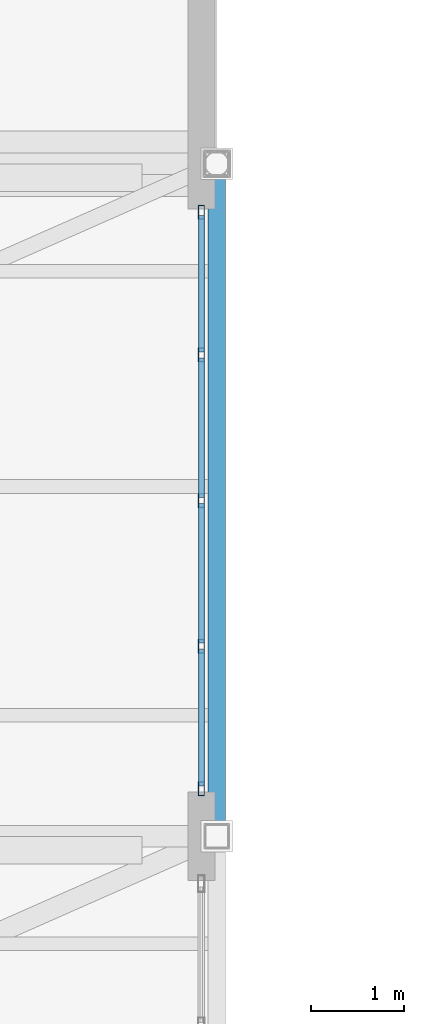
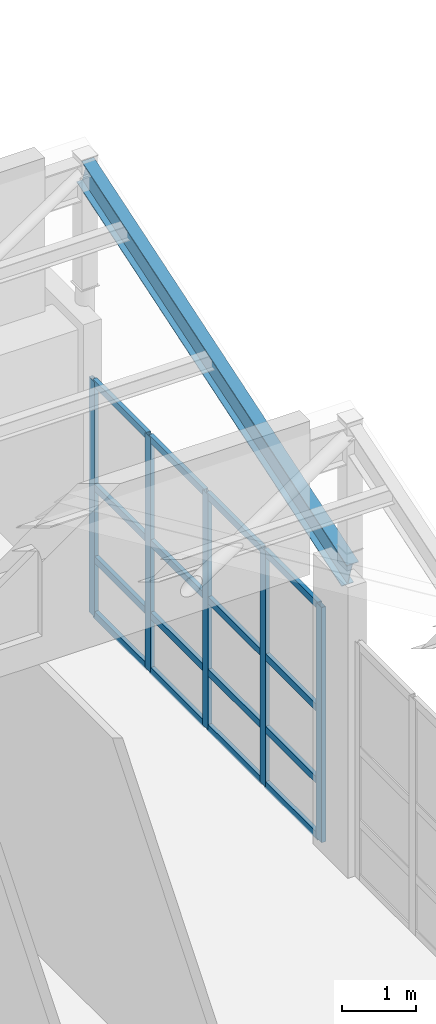
# One storey, part 19 of 34: 21 members, 1 beam, 1 element without a shape of its own.
"""IFC4 building model written with IfcOpenShell, lengths in metres."""

from ifc_helpers import new_model, si_unit, direction, frame, origin, origin_2d, place, context, subcontext, project, spatial, hollow_rectangle, i_section, extrude, material, layer, layer_set, material_profile, profile_set, type_object, element, aggregate, save


model = new_model("IFC4")

# Units and contexts
model_context = context("Model", 3, precision=1e-05, world=origin(), true_north=direction((0.0, 1.0)))
body_context = subcontext(model_context, "Body", "Model", "MODEL_VIEW")
ifc_project = project(units=[si_unit("LENGTHUNIT", "METRE"), si_unit("AREAUNIT", "SQUARE_METRE"), si_unit("VOLUMEUNIT", "CUBIC_METRE"), si_unit("PLANEANGLEUNIT", "RADIAN"), si_unit("MASSUNIT", "GRAM", prefix="KILO")], contexts=[model_context])

# Site, building, storey
site_placement = place(None, origin())
site = spatial("IfcSite", under=ifc_project, at=site_placement, CompositionType="ELEMENT")
building_placement = place(site_placement, origin())
building = spatial("IfcBuilding", under=site, at=building_placement, Name="Quendrovan Civic Courthouse", CompositionType="ELEMENT")
storey_placement = place(building_placement, frame((0.0, 0.0, 25.5)))
storey = spatial("IfcBuildingStorey", under=building, at=storey_placement, Name="L06", CompositionType="ELEMENT", Elevation=25.5)

# Beam
ifc_material_1 = material(Name="Steel ASTM A992 Grade 50", Category="steel")
ifc_material_profile_1 = material_profile(ifc_material_1, i_section(OverallWidth=0.18994140625, OverallDepth=0.45703125, WebThickness=0.009033203125, FlangeThickness=0.014404296875, at=origin_2d()), Name="W460x74")
ifc_profile_set_1 = profile_set([ifc_material_profile_1], Name="Steel ASTM A992 Grade 50")
beam_type = type_object("IfcBeamType", Name="BM-STL-W460", PredefinedType="BEAM", material=ifc_profile_set_1)
beam_placement = place(storey_placement, frame((16.800048828125, 80.39990234375, 4.651611328125), z_axis=(0.0, 0.95106155517, 0.309001485882), x_axis=(-1.0, 0.0, 0.0)))
element("IfcBeam", 1, at=beam_placement, inside=storey, type_object=beam_type, Name="Sawtooth Raking Steel Rafter B8-E", PredefinedType="BEAM", context=body_context, shape_type="SweptSolid", body=[
    extrude(i_section(OverallWidth=0.18994140625, OverallDepth=0.45703125, WebThickness=0.009033203125, FlangeThickness=0.014404296875, at=origin_2d()), origin(), (0.0, 0.0, 1.0), 7.57080078125),
])

# Curtain wall, members
ifc_material_2 = material(Name="Bronze anodised aluminium and low-E glass", Category="aluminium")
ifc_layer = layer(ifc_material_2, 0.179931640625, Name="Bronze anodised aluminium and low-E glass")
ifc_layer_set = layer_set([ifc_layer], Name="Bronze anodised aluminium and low-E glass")
curtain_wall_type = type_object("IfcCurtainWallType", Name="CW-U62x39", PredefinedType="USERDEFINED", material=ifc_layer_set)
curtain_wall_placement = place(storey_placement, origin())
curtain_wall = element("IfcCurtainWall", 2, at=curtain_wall_placement, inside=storey, type_object=curtain_wall_type, Name="L06 Unitised Hurricane Curtain Wall CW-207", ObjectType="UNITISED CURTAIN WALL", PredefinedType="USERDEFINED")
ifc_material_3 = material(Name="Bronze anodised aluminium", Category="aluminium")
ifc_material_profile_2 = material_profile(ifc_material_3, hollow_rectangle(XDim=0.06494140625, YDim=0.14990234375, WallThickness=0.00390625, at=origin_2d()), Name="CW-MULL-65x150")
ifc_profile_set_2 = profile_set([ifc_material_profile_2], Name="Bronze anodised aluminium")
member_type_1 = type_object("IfcMemberType", Name="CW-MULL-B", PredefinedType="MULLION", material=ifc_profile_set_2)
member_1_placement = place(storey_placement, frame((16.635009765625, 87.0810546875, 0.0), z_axis=(0.0, 0.0, 1.0), x_axis=(1.0, 0.0, 0.0)))
member_1 = element("IfcMember", 3, at=member_1_placement, type_object=member_type_1, Name="CW-207 mullion 1", PredefinedType="MULLION", context=body_context, shape_type="SweptSolid", body=[
    extrude(hollow_rectangle(XDim=0.06494140625, YDim=0.14990234375, WallThickness=0.00390625, at=origin_2d()), origin(), (0.0, 0.0, 1.0), 3.89990234375),
])
member_2_placement = place(storey_placement, frame((16.635009765625, 85.553955078125, 0.0), z_axis=(0.0, 0.0, 1.0), x_axis=(1.0, 0.0, 0.0)))
member_2 = element("IfcMember", 4, at=member_2_placement, type_object=member_type_1, Name="CW-207 mullion 2", PredefinedType="MULLION", context=body_context, shape_type="SweptSolid", body=[
    extrude(hollow_rectangle(XDim=0.06494140625, YDim=0.14990234375, WallThickness=0.00390625, at=origin_2d()), origin(), (0.0, 0.0, 1.0), 3.89990234375),
])
member_3_placement = place(storey_placement, frame((16.635009765625, 83.994140625, 0.0), z_axis=(0.0, 0.0, 1.0), x_axis=(1.0, 0.0, 0.0)))
member_3 = element("IfcMember", 5, at=member_3_placement, type_object=member_type_1, Name="CW-207 mullion 3", PredefinedType="MULLION", context=body_context, shape_type="SweptSolid", body=[
    extrude(hollow_rectangle(XDim=0.06494140625, YDim=0.14990234375, WallThickness=0.00390625, at=origin_2d()), origin(), (0.0, 0.0, 1.0), 3.89990234375),
])
member_4_placement = place(storey_placement, frame((16.635009765625, 82.4345703125, 0.0), z_axis=(0.0, 0.0, 1.0), x_axis=(1.0, 0.0, 0.0)))
member_4 = element("IfcMember", 6, at=member_4_placement, type_object=member_type_1, Name="CW-207 mullion 4", PredefinedType="MULLION", context=body_context, shape_type="SweptSolid", body=[
    extrude(hollow_rectangle(XDim=0.06494140625, YDim=0.14990234375, WallThickness=0.00390625, at=origin_2d()), origin(), (0.0, 0.0, 1.0), 3.89990234375),
])
member_5_placement = place(storey_placement, frame((16.635009765625, 80.907470703125, 0.0), z_axis=(0.0, 0.0, 1.0), x_axis=(1.0, 0.0, 0.0)))
member_5 = element("IfcMember", 7, at=member_5_placement, type_object=member_type_1, Name="CW-207 mullion 5", PredefinedType="MULLION", context=body_context, shape_type="SweptSolid", body=[
    extrude(hollow_rectangle(XDim=0.06494140625, YDim=0.14990234375, WallThickness=0.00390625, at=origin_2d()), origin(), (0.0, 0.0, 1.0), 3.89990234375),
])
ifc_material_profile_3 = material_profile(ifc_material_3, hollow_rectangle(XDim=0.06494140625, YDim=0.114990234375, WallThickness=0.00390625, at=origin_2d()), Name="CW-TRAN-65x115")
ifc_profile_set_3 = profile_set([ifc_material_profile_3], Name="Bronze anodised aluminium")
member_type_2 = type_object("IfcMemberType", Name="CW-TRAN-B", PredefinedType="USERDEFINED", material=ifc_profile_set_3)
member_6_placement = place(storey_placement, frame((16.635009765625, 87.048583984375, 0.032470703125), z_axis=(0.0, -1.0, 0.0), x_axis=(1.0, 0.0, 0.0)))
member_6 = element("IfcMember", 8, at=member_6_placement, type_object=member_type_2, Name="CW-207 transom 1.1", ObjectType="TRANSOM", PredefinedType="USERDEFINED", context=body_context, shape_type="SweptSolid", body=[
    extrude(hollow_rectangle(XDim=0.06494140625, YDim=0.114990234375, WallThickness=0.00390625, at=origin_2d()), origin(), (0.0, 0.0, 1.0), 1.462158203125),
])
member_7_placement = place(storey_placement, frame((16.635009765625, 87.048583984375, 0.949951171875), z_axis=(0.0, -1.0, 0.0), x_axis=(1.0, 0.0, 0.0)))
member_7 = element("IfcMember", 9, at=member_7_placement, type_object=member_type_2, Name="CW-207 transom 1.2", ObjectType="TRANSOM", PredefinedType="USERDEFINED", context=body_context, shape_type="SweptSolid", body=[
    extrude(hollow_rectangle(XDim=0.06494140625, YDim=0.114990234375, WallThickness=0.00390625, at=origin_2d()), origin(), (0.0, 0.0, 1.0), 1.462158203125),
])
member_8_placement = place(storey_placement, frame((16.635009765625, 87.048583984375, 2.14990234375), z_axis=(0.0, -1.0, 0.0), x_axis=(1.0, 0.0, 0.0)))
member_8 = element("IfcMember", 10, at=member_8_placement, type_object=member_type_2, Name="CW-207 transom 1.3", ObjectType="TRANSOM", PredefinedType="USERDEFINED", context=body_context, shape_type="SweptSolid", body=[
    extrude(hollow_rectangle(XDim=0.06494140625, YDim=0.114990234375, WallThickness=0.00390625, at=origin_2d()), origin(), (0.0, 0.0, 1.0), 1.462158203125),
])
member_9_placement = place(storey_placement, frame((16.635009765625, 87.048583984375, 3.867431640625), z_axis=(0.0, -1.0, 0.0), x_axis=(1.0, 0.0, 0.0)))
member_9 = element("IfcMember", 11, at=member_9_placement, type_object=member_type_2, Name="CW-207 transom 1.4", ObjectType="TRANSOM", PredefinedType="USERDEFINED", context=body_context, shape_type="SweptSolid", body=[
    extrude(hollow_rectangle(XDim=0.06494140625, YDim=0.114990234375, WallThickness=0.00390625, at=origin_2d()), origin(), (0.0, 0.0, 1.0), 1.462158203125),
])
member_10_placement = place(storey_placement, frame((16.635009765625, 85.521484375, 0.032470703125), z_axis=(0.0, -1.0, 0.0), x_axis=(1.0, 0.0, 0.0)))
member_10 = element("IfcMember", 12, at=member_10_placement, type_object=member_type_2, Name="CW-207 transom 2.1", ObjectType="TRANSOM", PredefinedType="USERDEFINED", context=body_context, shape_type="SweptSolid", body=[
    extrude(hollow_rectangle(XDim=0.06494140625, YDim=0.114990234375, WallThickness=0.00390625, at=origin_2d()), origin(), (0.0, 0.0, 1.0), 1.49462890625),
])
member_11_placement = place(storey_placement, frame((16.635009765625, 85.521484375, 0.949951171875), z_axis=(0.0, -1.0, 0.0), x_axis=(1.0, 0.0, 0.0)))
member_11 = element("IfcMember", 13, at=member_11_placement, type_object=member_type_2, Name="CW-207 transom 2.2", ObjectType="TRANSOM", PredefinedType="USERDEFINED", context=body_context, shape_type="SweptSolid", body=[
    extrude(hollow_rectangle(XDim=0.06494140625, YDim=0.114990234375, WallThickness=0.00390625, at=origin_2d()), origin(), (0.0, 0.0, 1.0), 1.49462890625),
])
member_12_placement = place(storey_placement, frame((16.635009765625, 85.521484375, 2.14990234375), z_axis=(0.0, -1.0, 0.0), x_axis=(1.0, 0.0, 0.0)))
member_12 = element("IfcMember", 14, at=member_12_placement, type_object=member_type_2, Name="CW-207 transom 2.3", ObjectType="TRANSOM", PredefinedType="USERDEFINED", context=body_context, shape_type="SweptSolid", body=[
    extrude(hollow_rectangle(XDim=0.06494140625, YDim=0.114990234375, WallThickness=0.00390625, at=origin_2d()), origin(), (0.0, 0.0, 1.0), 1.49462890625),
])
member_13_placement = place(storey_placement, frame((16.635009765625, 85.521484375, 3.867431640625), z_axis=(0.0, -1.0, 0.0), x_axis=(1.0, 0.0, 0.0)))
member_13 = element("IfcMember", 15, at=member_13_placement, type_object=member_type_2, Name="CW-207 transom 2.4", ObjectType="TRANSOM", PredefinedType="USERDEFINED", context=body_context, shape_type="SweptSolid", body=[
    extrude(hollow_rectangle(XDim=0.06494140625, YDim=0.114990234375, WallThickness=0.00390625, at=origin_2d()), origin(), (0.0, 0.0, 1.0), 1.49462890625),
])
member_14_placement = place(storey_placement, frame((16.635009765625, 83.961669921875, 0.032470703125), z_axis=(0.0, -1.0, 0.0), x_axis=(1.0, 0.0, 0.0)))
member_14 = element("IfcMember", 16, at=member_14_placement, type_object=member_type_2, Name="CW-207 transom 3.1", ObjectType="TRANSOM", PredefinedType="USERDEFINED", context=body_context, shape_type="SweptSolid", body=[
    extrude(hollow_rectangle(XDim=0.06494140625, YDim=0.114990234375, WallThickness=0.00390625, at=origin_2d()), origin(), (0.0, 0.0, 1.0), 1.49462890625),
])
member_15_placement = place(storey_placement, frame((16.635009765625, 83.961669921875, 0.949951171875), z_axis=(0.0, -1.0, 0.0), x_axis=(1.0, 0.0, 0.0)))
member_15 = element("IfcMember", 17, at=member_15_placement, type_object=member_type_2, Name="CW-207 transom 3.2", ObjectType="TRANSOM", PredefinedType="USERDEFINED", context=body_context, shape_type="SweptSolid", body=[
    extrude(hollow_rectangle(XDim=0.06494140625, YDim=0.114990234375, WallThickness=0.00390625, at=origin_2d()), origin(), (0.0, 0.0, 1.0), 1.49462890625),
])
member_16_placement = place(storey_placement, frame((16.635009765625, 83.961669921875, 2.14990234375), z_axis=(0.0, -1.0, 0.0), x_axis=(1.0, 0.0, 0.0)))
member_16 = element("IfcMember", 18, at=member_16_placement, type_object=member_type_2, Name="CW-207 transom 3.3", ObjectType="TRANSOM", PredefinedType="USERDEFINED", context=body_context, shape_type="SweptSolid", body=[
    extrude(hollow_rectangle(XDim=0.06494140625, YDim=0.114990234375, WallThickness=0.00390625, at=origin_2d()), origin(), (0.0, 0.0, 1.0), 1.49462890625),
])
member_17_placement = place(storey_placement, frame((16.635009765625, 83.961669921875, 3.867431640625), z_axis=(0.0, -1.0, 0.0), x_axis=(1.0, 0.0, 0.0)))
member_17 = element("IfcMember", 19, at=member_17_placement, type_object=member_type_2, Name="CW-207 transom 3.4", ObjectType="TRANSOM", PredefinedType="USERDEFINED", context=body_context, shape_type="SweptSolid", body=[
    extrude(hollow_rectangle(XDim=0.06494140625, YDim=0.114990234375, WallThickness=0.00390625, at=origin_2d()), origin(), (0.0, 0.0, 1.0), 1.49462890625),
])
member_18_placement = place(storey_placement, frame((16.635009765625, 82.402099609375, 0.032470703125), z_axis=(0.0, -1.0, 0.0), x_axis=(1.0, 0.0, 0.0)))
member_18 = element("IfcMember", 20, at=member_18_placement, type_object=member_type_2, Name="CW-207 transom 4.1", ObjectType="TRANSOM", PredefinedType="USERDEFINED", context=body_context, shape_type="SweptSolid", body=[
    extrude(hollow_rectangle(XDim=0.06494140625, YDim=0.114990234375, WallThickness=0.00390625, at=origin_2d()), origin(), (0.0, 0.0, 1.0), 1.462158203125),
])
member_19_placement = place(storey_placement, frame((16.635009765625, 82.402099609375, 0.949951171875), z_axis=(0.0, -1.0, 0.0), x_axis=(1.0, 0.0, 0.0)))
member_19 = element("IfcMember", 21, at=member_19_placement, type_object=member_type_2, Name="CW-207 transom 4.2", ObjectType="TRANSOM", PredefinedType="USERDEFINED", context=body_context, shape_type="SweptSolid", body=[
    extrude(hollow_rectangle(XDim=0.06494140625, YDim=0.114990234375, WallThickness=0.00390625, at=origin_2d()), origin(), (0.0, 0.0, 1.0), 1.462158203125),
])
member_20_placement = place(storey_placement, frame((16.635009765625, 82.402099609375, 2.14990234375), z_axis=(0.0, -1.0, 0.0), x_axis=(1.0, 0.0, 0.0)))
member_20 = element("IfcMember", 22, at=member_20_placement, type_object=member_type_2, Name="CW-207 transom 4.3", ObjectType="TRANSOM", PredefinedType="USERDEFINED", context=body_context, shape_type="SweptSolid", body=[
    extrude(hollow_rectangle(XDim=0.06494140625, YDim=0.114990234375, WallThickness=0.00390625, at=origin_2d()), origin(), (0.0, 0.0, 1.0), 1.462158203125),
])
member_21_placement = place(storey_placement, frame((16.635009765625, 82.402099609375, 3.867431640625), z_axis=(0.0, -1.0, 0.0), x_axis=(1.0, 0.0, 0.0)))
member_21 = element("IfcMember", 23, at=member_21_placement, type_object=member_type_2, Name="CW-207 transom 4.4", ObjectType="TRANSOM", PredefinedType="USERDEFINED", context=body_context, shape_type="SweptSolid", body=[
    extrude(hollow_rectangle(XDim=0.06494140625, YDim=0.114990234375, WallThickness=0.00390625, at=origin_2d()), origin(), (0.0, 0.0, 1.0), 1.462158203125),
])
aggregate(curtain_wall, [member_1, member_2, member_3, member_4, member_5, member_6, member_7, member_8, member_9, member_10, member_11, member_12, member_13, member_14, member_15, member_16, member_17, member_18, member_19, member_20, member_21])

save(model, "model.ifc")
